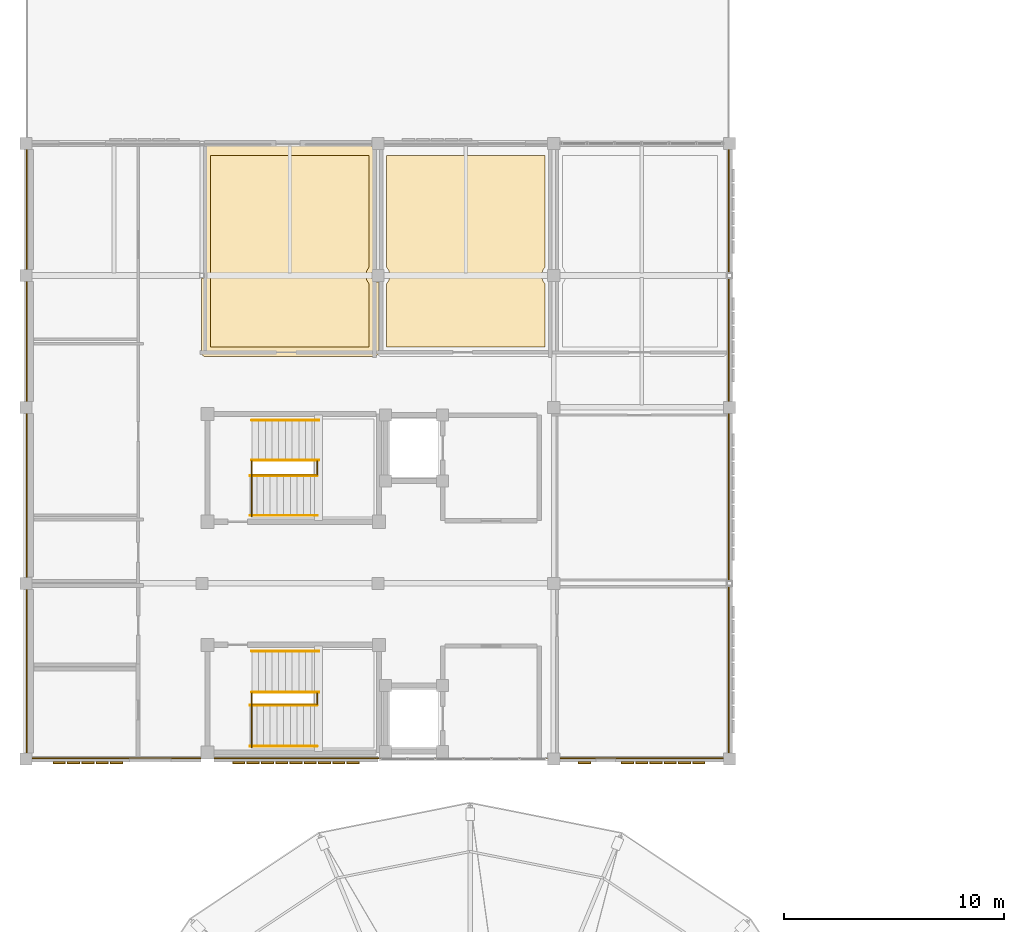
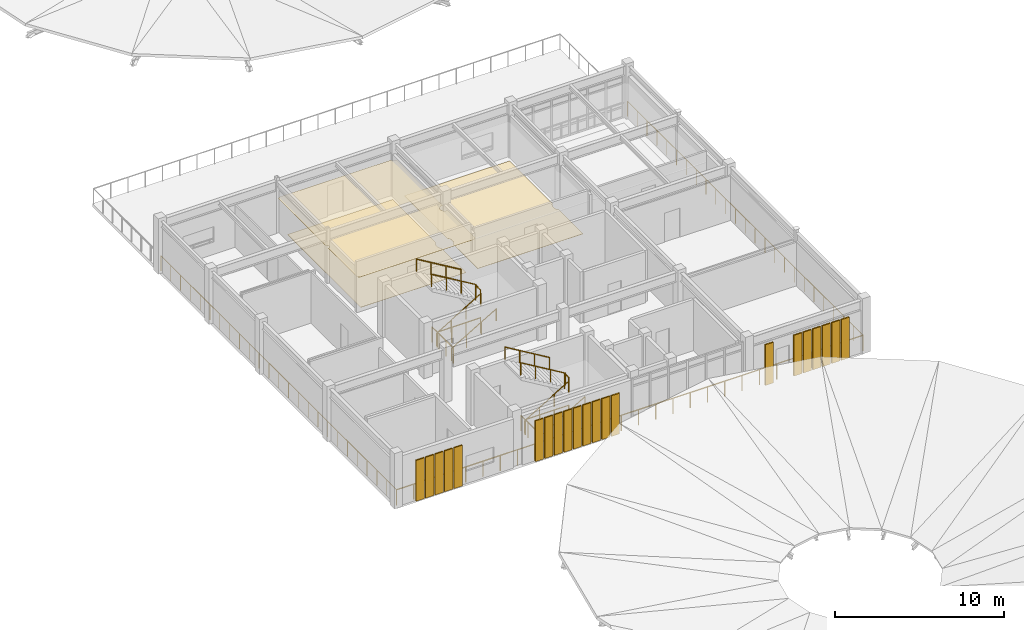
# One storey, part 29 of 31: 21 shading devices, 17 railings, 3 coverings.
"""IFC4 building model written with IfcOpenShell, lengths in metres."""

from ifc_helpers import new_model, si_unit, direction, frame, origin, origin_2d, place, context, subcontext, project, spatial, polyline, rectangle, circle, outline, extrude, material, layer, layer_set, type_object, element, save


model = new_model("IFC4")

# Units and contexts
model_context = context("Model", 3, precision=1e-05, world=origin(), true_north=direction((0.0, 1.0)))
body_context = subcontext(model_context, "Body", "Model", "MODEL_VIEW")
ifc_project = project(units=[si_unit("LENGTHUNIT", "METRE"), si_unit("AREAUNIT", "SQUARE_METRE"), si_unit("VOLUMEUNIT", "CUBIC_METRE"), si_unit("PLANEANGLEUNIT", "RADIAN"), si_unit("MASSUNIT", "GRAM", prefix="KILO")], contexts=[model_context])

# Site, building, storey
site_placement = place(None, origin())
site = spatial("IfcSite", under=ifc_project, at=site_placement, CompositionType="ELEMENT")
building_placement = place(site_placement, origin())
building = spatial("IfcBuilding", under=site, at=building_placement, Name="Celadon Cloister-Ring School", CompositionType="ELEMENT")
storey_placement = place(building_placement, frame((0.0, 0.0, 16.5)))
storey = spatial("IfcBuildingStorey", under=building, at=storey_placement, Name="L04", CompositionType="ELEMENT", Elevation=16.5)

# Coverings
ifc_material_1 = material(Name="Mineral-fibre acoustic ceiling board")
ifc_layer_1 = layer(ifc_material_1, 0.02001953125)
ifc_layer_set_1 = layer_set([ifc_layer_1], Name="Mineral-fibre acoustic ceiling board")
covering_type_1 = type_object("IfcCoveringType", Name="CV-CL1", PredefinedType="CEILING", material=ifc_layer_set_1)
covering_1_placement = place(storey_placement, frame((0.0, 0.0, 2.550048828125)))
element("IfcCovering", 1, at=covering_1_placement, inside=storey, type_object=covering_type_1, Name="Acoustic Ceiling 0026", PredefinedType="CEILING", context=body_context, shape_type="SweptSolid", body=[
    extrude(outline(polyline([(16.030029296875, 67.70703125), (16.030029296875, 62.29296875), (15.970947265625, 62.2939453125), (15.9140625, 62.281982421875), (15.861083984375, 62.260009765625), (15.81298828125, 62.22802734375), (15.77197265625, 62.18701171875), (15.739990234375, 62.138916015625), (15.7109375, 62.05810546875), (15.705078125, 62.0), (15.7109375, 61.94189453125), (15.739990234375, 61.861083984375), (15.77197265625, 61.81298828125), (15.81298828125, 61.77197265625), (15.861083984375, 61.739990234375), (15.9140625, 61.718017578125), (15.970947265625, 61.7060546875), (16.030029296875, 61.70703125), (16.030029296875, 58.5), (16.01611328125, 58.430908203125), (15.989013671875, 58.385986328125), (15.93505859375, 58.341064453125), (15.885009765625, 58.322998046875), (15.85009765625, 58.320068359375), (8.14990234375, 58.320068359375), (8.097900390625, 58.327880859375), (8.035888671875, 58.361083984375), (8.010986328125, 58.385986328125), (7.98388671875, 58.430908203125), (7.969970703125, 58.5), (7.969970703125, 61.8740234375), (8.02490234375, 61.8720703125), (8.08203125, 61.89990234375), (8.1201171875, 61.949951171875), (8.1298828125, 62.0), (8.114990234375, 62.06103515625), (8.08203125, 62.10009765625), (8.02490234375, 62.1279296875), (7.969970703125, 62.1259765625), (7.969970703125, 67.699951171875), (7.97802734375, 67.751953125), (8.010986328125, 67.81396484375), (8.06494140625, 67.85888671875), (8.097900390625, 67.8720703125), (8.14990234375, 67.8798828125), (15.73095703125, 67.8798828125), (15.77197265625, 67.81298828125), (15.8359375, 67.7548828125), (15.9140625, 67.718017578125), (15.970947265625, 67.7060546875), (16.030029296875, 67.70703125)])), origin(), (0.0, 0.0, 1.0), 0.02001953125),
])
ifc_material_2 = material(Name="Polished cement-marble terrazzo tile", Category="masonry")
ifc_layer_2 = layer(ifc_material_2, 0.01806640625)
ifc_layer_set_2 = layer_set([ifc_layer_2], Name="Polished cement-marble terrazzo tile")
covering_type_2 = type_object("IfcCoveringType", Name="CV-FL1", PredefinedType="FLOORING", material=ifc_layer_set_2)
covering_2_placement = place(storey_placement, origin())
element("IfcCovering", 2, at=covering_2_placement, inside=storey, type_object=covering_type_2, Name="Terrazzo Flooring 0025", PredefinedType="FLOORING", context=body_context, shape_type="SweptSolid", body=[
    extrude(outline(polyline([(15.60009765625, 61.6298828125), (15.60009765625, 58.75), (8.39990234375, 58.75), (8.39990234375, 67.449951171875), (15.60009765625, 67.449951171875), (15.60009765625, 62.3701171875), (15.5869140625, 62.35498046875), (15.571044921875, 62.3359375), (15.553955078125, 62.31298828125), (15.5400390625, 62.2919921875), (15.52490234375, 62.26806640625), (15.513916015625, 62.24609375), (15.5009765625, 62.219970703125), (15.491943359375, 62.197021484375), (15.48193359375, 62.169921875), (15.47509765625, 62.14599609375), (15.468017578125, 62.117919921875), (15.462890625, 62.093994140625), (15.458984375, 62.06591796875), (15.45703125, 62.041015625), (15.455078125, 62.011962890625), (15.455078125, 61.988037109375), (15.45703125, 61.958984375), (15.458984375, 61.93408203125), (15.462890625, 61.906005859375), (15.468017578125, 61.882080078125), (15.47509765625, 61.85400390625), (15.48193359375, 61.830078125), (15.491943359375, 61.802978515625), (15.5009765625, 61.780029296875), (15.513916015625, 61.75390625), (15.52490234375, 61.73193359375), (15.5400390625, 61.7080078125), (15.553955078125, 61.68701171875), (15.571044921875, 61.6640625), (15.5869140625, 61.64501953125), (15.60009765625, 61.6298828125)])), origin(), (0.0, 0.0, 1.0), 0.01806640625),
])
covering_3_placement = place(storey_placement, origin())
element("IfcCovering", 3, at=covering_3_placement, inside=storey, type_object=covering_type_2, Name="Terrazzo Flooring 0027", PredefinedType="FLOORING", context=body_context, shape_type="SweptSolid", body=[
    extrude(outline(polyline([(16.39990234375, 61.6298828125), (16.4130859375, 61.64501953125), (16.428955078125, 61.6640625), (16.446044921875, 61.68701171875), (16.4599609375, 61.7080078125), (16.47509765625, 61.73193359375), (16.486083984375, 61.75390625), (16.4990234375, 61.780029296875), (16.508056640625, 61.802978515625), (16.51806640625, 61.830078125), (16.52490234375, 61.85400390625), (16.531982421875, 61.882080078125), (16.537109375, 61.906005859375), (16.541015625, 61.93408203125), (16.54296875, 61.958984375), (16.544921875, 61.988037109375), (16.544921875, 62.011962890625), (16.54296875, 62.041015625), (16.541015625, 62.06591796875), (16.537109375, 62.093994140625), (16.531982421875, 62.117919921875), (16.52490234375, 62.14599609375), (16.51806640625, 62.169921875), (16.508056640625, 62.197021484375), (16.4990234375, 62.219970703125), (16.486083984375, 62.24609375), (16.47509765625, 62.26806640625), (16.4599609375, 62.2919921875), (16.446044921875, 62.31298828125), (16.428955078125, 62.3359375), (16.4130859375, 62.35498046875), (16.39990234375, 62.3701171875), (16.39990234375, 67.449951171875), (23.60009765625, 67.449951171875), (23.60009765625, 62.3701171875), (23.5869140625, 62.35498046875), (23.571044921875, 62.3359375), (23.553955078125, 62.31298828125), (23.5400390625, 62.2919921875), (23.52490234375, 62.26806640625), (23.513916015625, 62.24609375), (23.5009765625, 62.219970703125), (23.491943359375, 62.197021484375), (23.48193359375, 62.169921875), (23.47509765625, 62.14599609375), (23.468017578125, 62.117919921875), (23.462890625, 62.093994140625), (23.458984375, 62.06591796875), (23.45703125, 62.041015625), (23.455078125, 62.011962890625), (23.455078125, 61.988037109375), (23.45703125, 61.958984375), (23.458984375, 61.93408203125), (23.462890625, 61.906005859375), (23.468017578125, 61.882080078125), (23.47509765625, 61.85400390625), (23.48193359375, 61.830078125), (23.491943359375, 61.802978515625), (23.5009765625, 61.780029296875), (23.513916015625, 61.75390625), (23.52490234375, 61.73193359375), (23.5400390625, 61.7080078125), (23.553955078125, 61.68701171875), (23.571044921875, 61.6640625), (23.5869140625, 61.64501953125), (23.60009765625, 61.6298828125), (23.60009765625, 58.75), (16.39990234375, 58.75), (16.39990234375, 61.6298828125)])), origin(), (0.0, 0.0, 1.0), 0.01806640625),
])

# Railings
ifc_material_3 = material(Name="Structural steel S355JR", Category="steel")
railing_type_1 = type_object("IfcRailingType", Name="RL-BL1", PredefinedType="BALUSTRADE", material=ifc_material_3)
railing_1_placement = place(storey_placement, frame((0.0400390625, 40.0400390625, 0.0)))
element("IfcRailing", 4, at=railing_1_placement, inside=storey, type_object=railing_type_1, Name="Terrace Balustrade 0456", PredefinedType="BALUSTRADE", context=body_context, shape_type="SweptSolid", body=[
    extrude(circle(Radius=0.02392578125, at=origin_2d()), frame((0.0, 0.0, 1.09619140625), z_axis=(1.0, 0.0, 0.0), x_axis=(0.0, 1.0, 0.0)), (0.0, 0.0, 1.0), 31.919921875),
    extrude(circle(Radius=0.02099609375, at=origin_2d()), origin(), (0.0, 0.0, 1.0), 1.072021484375),
    extrude(circle(Radius=0.02099609375, at=origin_2d()), frame((1.18212890625, 0.0, 0.0)), (0.0, 0.0, 1.0), 1.072021484375),
    extrude(circle(Radius=0.02099609375, at=origin_2d()), frame((2.364501953125, 0.0, 0.0)), (0.0, 0.0, 1.0), 1.072021484375),
    extrude(circle(Radius=0.02099609375, at=origin_2d()), frame((3.546630859375, 0.0, 0.0)), (0.0, 0.0, 1.0), 1.072021484375),
    extrude(circle(Radius=0.02099609375, at=origin_2d()), frame((4.728759765625, 0.0, 0.0)), (0.0, 0.0, 1.0), 1.072021484375),
    extrude(circle(Radius=0.02099609375, at=origin_2d()), frame((5.9111328125, 0.0, 0.0)), (0.0, 0.0, 1.0), 1.072021484375),
    extrude(circle(Radius=0.02099609375, at=origin_2d()), frame((7.09326171875, 0.0, 0.0)), (0.0, 0.0, 1.0), 1.072021484375),
    extrude(circle(Radius=0.02099609375, at=origin_2d()), frame((8.275634765625, 0.0, 0.0)), (0.0, 0.0, 1.0), 1.072021484375),
    extrude(circle(Radius=0.02099609375, at=origin_2d()), frame((9.457763671875, 0.0, 0.0)), (0.0, 0.0, 1.0), 1.072021484375),
    extrude(circle(Radius=0.02099609375, at=origin_2d()), frame((10.639892578125, 0.0, 0.0)), (0.0, 0.0, 1.0), 1.072021484375),
    extrude(circle(Radius=0.02099609375, at=origin_2d()), frame((11.822265625, 0.0, 0.0)), (0.0, 0.0, 1.0), 1.072021484375),
    extrude(circle(Radius=0.02099609375, at=origin_2d()), frame((13.00439453125, 0.0, 0.0)), (0.0, 0.0, 1.0), 1.072021484375),
    extrude(circle(Radius=0.02099609375, at=origin_2d()), frame((14.1865234375, 0.0, 0.0)), (0.0, 0.0, 1.0), 1.072021484375),
    extrude(circle(Radius=0.02099609375, at=origin_2d()), frame((15.368896484375, 0.0, 0.0)), (0.0, 0.0, 1.0), 1.072021484375),
    extrude(circle(Radius=0.02099609375, at=origin_2d()), frame((16.551025390625, 0.0, 0.0)), (0.0, 0.0, 1.0), 1.072021484375),
    extrude(circle(Radius=0.02099609375, at=origin_2d()), frame((17.7333984375, 0.0, 0.0)), (0.0, 0.0, 1.0), 1.072021484375),
    extrude(circle(Radius=0.02099609375, at=origin_2d()), frame((18.91552734375, 0.0, 0.0)), (0.0, 0.0, 1.0), 1.072021484375),
    extrude(circle(Radius=0.02099609375, at=origin_2d()), frame((20.09765625, 0.0, 0.0)), (0.0, 0.0, 1.0), 1.072021484375),
    extrude(circle(Radius=0.02099609375, at=origin_2d()), frame((21.280029296875, 0.0, 0.0)), (0.0, 0.0, 1.0), 1.072021484375),
    extrude(circle(Radius=0.02099609375, at=origin_2d()), frame((22.462158203125, 0.0, 0.0)), (0.0, 0.0, 1.0), 1.072021484375),
    extrude(circle(Radius=0.02099609375, at=origin_2d()), frame((23.644287109375, 0.0, 0.0)), (0.0, 0.0, 1.0), 1.072021484375),
    extrude(circle(Radius=0.02099609375, at=origin_2d()), frame((24.82666015625, 0.0, 0.0)), (0.0, 0.0, 1.0), 1.072021484375),
    extrude(circle(Radius=0.02099609375, at=origin_2d()), frame((26.0087890625, 0.0, 0.0)), (0.0, 0.0, 1.0), 1.072021484375),
    extrude(circle(Radius=0.02099609375, at=origin_2d()), frame((27.191162109375, 0.0, 0.0)), (0.0, 0.0, 1.0), 1.072021484375),
    extrude(circle(Radius=0.02099609375, at=origin_2d()), frame((28.373291015625, 0.0, 0.0)), (0.0, 0.0, 1.0), 1.072021484375),
    extrude(circle(Radius=0.02099609375, at=origin_2d()), frame((29.555419921875, 0.0, 0.0)), (0.0, 0.0, 1.0), 1.072021484375),
    extrude(circle(Radius=0.02099609375, at=origin_2d()), frame((30.73779296875, 0.0, 0.0)), (0.0, 0.0, 1.0), 1.072021484375),
    extrude(circle(Radius=0.02099609375, at=origin_2d()), frame((31.919921875, 0.0, 0.0)), (0.0, 0.0, 1.0), 1.072021484375),
])
railing_2_placement = place(storey_placement, frame((31.9599609375, 40.0400390625, 0.0)))
element("IfcRailing", 5, at=railing_2_placement, inside=storey, type_object=railing_type_1, Name="Terrace Balustrade 0457", PredefinedType="BALUSTRADE", context=body_context, shape_type="SweptSolid", body=[
    extrude(circle(Radius=0.02392578125, at=origin_2d()), frame((0.0, 0.0, 1.09619140625), z_axis=(0.0, 1.0, 0.0), x_axis=(-1.0, 0.0, 0.0)), (0.0, 0.0, 1.0), 27.919921875),
    extrude(circle(Radius=0.02099609375, at=origin_2d()), origin(), (0.0, 0.0, 1.0), 1.072021484375),
    extrude(circle(Radius=0.02099609375, at=origin_2d()), frame((0.0, 1.163330078125, 0.0)), (0.0, 0.0, 1.0), 1.072021484375),
    extrude(circle(Radius=0.02099609375, at=origin_2d()), frame((0.0, 2.32666015625, 0.0)), (0.0, 0.0, 1.0), 1.072021484375),
    extrude(circle(Radius=0.02099609375, at=origin_2d()), frame((0.0, 3.489990234375, 0.0)), (0.0, 0.0, 1.0), 1.072021484375),
    extrude(circle(Radius=0.02099609375, at=origin_2d()), frame((0.0, 4.6533203125, 0.0)), (0.0, 0.0, 1.0), 1.072021484375),
    extrude(circle(Radius=0.02099609375, at=origin_2d()), frame((0.0, 5.816650390625, 0.0)), (0.0, 0.0, 1.0), 1.072021484375),
    extrude(circle(Radius=0.02099609375, at=origin_2d()), frame((0.0, 6.97998046875, 0.0)), (0.0, 0.0, 1.0), 1.072021484375),
    extrude(circle(Radius=0.02099609375, at=origin_2d()), frame((0.0, 8.143310546875, 0.0)), (0.0, 0.0, 1.0), 1.072021484375),
    extrude(circle(Radius=0.02099609375, at=origin_2d()), frame((0.0, 9.306640625, 0.0)), (0.0, 0.0, 1.0), 1.072021484375),
    extrude(circle(Radius=0.02099609375, at=origin_2d()), frame((0.0, 10.469970703125, 0.0)), (0.0, 0.0, 1.0), 1.072021484375),
    extrude(circle(Radius=0.02099609375, at=origin_2d()), frame((0.0, 11.63330078125, 0.0)), (0.0, 0.0, 1.0), 1.072021484375),
    extrude(circle(Radius=0.02099609375, at=origin_2d()), frame((0.0, 12.796630859375, 0.0)), (0.0, 0.0, 1.0), 1.072021484375),
    extrude(circle(Radius=0.02099609375, at=origin_2d()), frame((0.0, 13.9599609375, 0.0)), (0.0, 0.0, 1.0), 1.072021484375),
    extrude(circle(Radius=0.02099609375, at=origin_2d()), frame((0.0, 15.123291015625, 0.0)), (0.0, 0.0, 1.0), 1.072021484375),
    extrude(circle(Radius=0.02099609375, at=origin_2d()), frame((0.0, 16.28662109375, 0.0)), (0.0, 0.0, 1.0), 1.072021484375),
    extrude(circle(Radius=0.02099609375, at=origin_2d()), frame((0.0, 17.449951171875, 0.0)), (0.0, 0.0, 1.0), 1.072021484375),
    extrude(circle(Radius=0.02099609375, at=origin_2d()), frame((0.0, 18.61328125, 0.0)), (0.0, 0.0, 1.0), 1.072021484375),
    extrude(circle(Radius=0.02099609375, at=origin_2d()), frame((0.0, 19.776611328125, 0.0)), (0.0, 0.0, 1.0), 1.072021484375),
    extrude(circle(Radius=0.02099609375, at=origin_2d()), frame((0.0, 20.93994140625, 0.0)), (0.0, 0.0, 1.0), 1.072021484375),
    extrude(circle(Radius=0.02099609375, at=origin_2d()), frame((0.0, 22.103271484375, 0.0)), (0.0, 0.0, 1.0), 1.072021484375),
    extrude(circle(Radius=0.02099609375, at=origin_2d()), frame((0.0, 23.2666015625, 0.0)), (0.0, 0.0, 1.0), 1.072021484375),
    extrude(circle(Radius=0.02099609375, at=origin_2d()), frame((0.0, 24.429931640625, 0.0)), (0.0, 0.0, 1.0), 1.072021484375),
    extrude(circle(Radius=0.02099609375, at=origin_2d()), frame((0.0, 25.59326171875, 0.0)), (0.0, 0.0, 1.0), 1.072021484375),
    extrude(circle(Radius=0.02099609375, at=origin_2d()), frame((0.0, 26.756591796875, 0.0)), (0.0, 0.0, 1.0), 1.072021484375),
    extrude(circle(Radius=0.02099609375, at=origin_2d()), frame((0.0, 27.919921875, 0.0)), (0.0, 0.0, 1.0), 1.072021484375),
])
railing_3_placement = place(storey_placement, frame((0.0400390625, 67.9599609375, 0.0)))
element("IfcRailing", 6, at=railing_3_placement, inside=storey, type_object=railing_type_1, Name="Terrace Balustrade 0460", PredefinedType="BALUSTRADE", context=body_context, shape_type="SweptSolid", body=[
    extrude(circle(Radius=0.02392578125, at=origin_2d()), frame((0.0, 0.0, 1.09619140625), z_axis=(0.0, -1.0, 0.0), x_axis=(1.0, 0.0, 0.0)), (0.0, 0.0, 1.0), 27.919921875),
    extrude(circle(Radius=0.02099609375, at=origin_2d()), origin(), (0.0, 0.0, 1.0), 1.072021484375),
    extrude(circle(Radius=0.02099609375, at=origin_2d()), frame((0.0, -1.163330078125, 0.0)), (0.0, 0.0, 1.0), 1.072021484375),
    extrude(circle(Radius=0.02099609375, at=origin_2d()), frame((0.0, -2.32666015625, 0.0)), (0.0, 0.0, 1.0), 1.072021484375),
    extrude(circle(Radius=0.02099609375, at=origin_2d()), frame((0.0, -3.489990234375, 0.0)), (0.0, 0.0, 1.0), 1.072021484375),
    extrude(circle(Radius=0.02099609375, at=origin_2d()), frame((0.0, -4.6533203125, 0.0)), (0.0, 0.0, 1.0), 1.072021484375),
    extrude(circle(Radius=0.02099609375, at=origin_2d()), frame((0.0, -5.816650390625, 0.0)), (0.0, 0.0, 1.0), 1.072021484375),
    extrude(circle(Radius=0.02099609375, at=origin_2d()), frame((0.0, -6.97998046875, 0.0)), (0.0, 0.0, 1.0), 1.072021484375),
    extrude(circle(Radius=0.02099609375, at=origin_2d()), frame((0.0, -8.143310546875, 0.0)), (0.0, 0.0, 1.0), 1.072021484375),
    extrude(circle(Radius=0.02099609375, at=origin_2d()), frame((0.0, -9.306640625, 0.0)), (0.0, 0.0, 1.0), 1.072021484375),
    extrude(circle(Radius=0.02099609375, at=origin_2d()), frame((0.0, -10.469970703125, 0.0)), (0.0, 0.0, 1.0), 1.072021484375),
    extrude(circle(Radius=0.02099609375, at=origin_2d()), frame((0.0, -11.63330078125, 0.0)), (0.0, 0.0, 1.0), 1.072021484375),
    extrude(circle(Radius=0.02099609375, at=origin_2d()), frame((0.0, -12.796630859375, 0.0)), (0.0, 0.0, 1.0), 1.072021484375),
    extrude(circle(Radius=0.02099609375, at=origin_2d()), frame((0.0, -13.9599609375, 0.0)), (0.0, 0.0, 1.0), 1.072021484375),
    extrude(circle(Radius=0.02099609375, at=origin_2d()), frame((0.0, -15.123291015625, 0.0)), (0.0, 0.0, 1.0), 1.072021484375),
    extrude(circle(Radius=0.02099609375, at=origin_2d()), frame((0.0, -16.28662109375, 0.0)), (0.0, 0.0, 1.0), 1.072021484375),
    extrude(circle(Radius=0.02099609375, at=origin_2d()), frame((0.0, -17.449951171875, 0.0)), (0.0, 0.0, 1.0), 1.072021484375),
    extrude(circle(Radius=0.02099609375, at=origin_2d()), frame((0.0, -18.61328125, 0.0)), (0.0, 0.0, 1.0), 1.072021484375),
    extrude(circle(Radius=0.02099609375, at=origin_2d()), frame((0.0, -19.776611328125, 0.0)), (0.0, 0.0, 1.0), 1.072021484375),
    extrude(circle(Radius=0.02099609375, at=origin_2d()), frame((0.0, -20.93994140625, 0.0)), (0.0, 0.0, 1.0), 1.072021484375),
    extrude(circle(Radius=0.02099609375, at=origin_2d()), frame((0.0, -22.103271484375, 0.0)), (0.0, 0.0, 1.0), 1.072021484375),
    extrude(circle(Radius=0.02099609375, at=origin_2d()), frame((0.0, -23.2666015625, 0.0)), (0.0, 0.0, 1.0), 1.072021484375),
    extrude(circle(Radius=0.02099609375, at=origin_2d()), frame((0.0, -24.429931640625, 0.0)), (0.0, 0.0, 1.0), 1.072021484375),
    extrude(circle(Radius=0.02099609375, at=origin_2d()), frame((0.0, -25.59326171875, 0.0)), (0.0, 0.0, 1.0), 1.072021484375),
    extrude(circle(Radius=0.02099609375, at=origin_2d()), frame((0.0, -26.756591796875, 0.0)), (0.0, 0.0, 1.0), 1.072021484375),
    extrude(circle(Radius=0.02099609375, at=origin_2d()), frame((0.0, -27.919921875, 0.0)), (0.0, 0.0, 1.0), 1.072021484375),
])
ifc_material_4 = material(Name="Structural steel S355JR", Category="steel")
railing_type_2 = type_object("IfcRailingType", Name="RL-BL2", PredefinedType="BALUSTRADE", material=ifc_material_4)
railing_4_placement = place(storey_placement, frame((13.239990234375, 42.5, 2.0)))
element("IfcRailing", 7, at=railing_4_placement, inside=storey, type_object=railing_type_2, Name="Interior Guard 0031", PredefinedType="BALUSTRADE", context=body_context, shape_type="SweptSolid", body=[
    extrude(circle(Radius=0.02392578125, at=origin_2d()), frame((0.0, 0.0, 1.09619140625), z_axis=(0.0, 1.0, 0.0), x_axis=(-1.0, 0.0, 0.0)), (0.0, 0.0, 1.0), 0.5),
    extrude(circle(Radius=0.02099609375, at=origin_2d()), origin(), (0.0, 0.0, 1.0), 1.072021484375),
    extrude(circle(Radius=0.02099609375, at=origin_2d()), frame((0.0, 0.5, 0.0)), (0.0, 0.0, 1.0), 1.072021484375),
])
railing_5_placement = place(storey_placement, frame((10.27001953125, 40.5400390625, 0.0)))
element("IfcRailing", 8, at=railing_5_placement, inside=storey, type_object=railing_type_2, Name="Interior Guard 0032", PredefinedType="BALUSTRADE", context=body_context, shape_type="SweptSolid", body=[
    extrude(circle(Radius=0.02392578125, at=origin_2d()), frame((0.0, 0.0, 1.09619140625), z_axis=(0.0, 1.0, 0.0), x_axis=(-1.0, 0.0, 0.0)), (0.0, 0.0, 1.0), 2.4599609375),
    extrude(circle(Radius=0.02099609375, at=origin_2d()), origin(), (0.0, 0.0, 1.0), 1.072021484375),
    extrude(circle(Radius=0.02099609375, at=origin_2d()), frame((0.0, 0.820068359375, 0.0)), (0.0, 0.0, 1.0), 1.072021484375),
    extrude(circle(Radius=0.02099609375, at=origin_2d()), frame((0.0, 1.639892578125, 0.0)), (0.0, 0.0, 1.0), 1.072021484375),
    extrude(circle(Radius=0.02099609375, at=origin_2d()), frame((0.0, 2.4599609375, 0.0)), (0.0, 0.0, 1.0), 1.072021484375),
])
railing_6_placement = place(storey_placement, frame((10.27001953125, 42.5, 0.0)))
element("IfcRailing", 9, at=railing_6_placement, inside=storey, type_object=railing_type_2, Name="Interior Guard 0033", PredefinedType="BALUSTRADE", context=body_context, shape_type="SweptSolid", body=[
    extrude(circle(Radius=0.02392578125, at=origin_2d()), frame((0.0, 0.0, 1.09619140625), z_axis=(1.0, 0.0, 0.0), x_axis=(0.0, 1.0, 0.0)), (0.0, 0.0, 1.0), 2.969970703125),
    extrude(circle(Radius=0.02099609375, at=origin_2d()), origin(), (0.0, 0.0, 1.0), 1.072021484375),
    extrude(circle(Radius=0.02099609375, at=origin_2d()), frame((0.989990234375, 0.0, 0.0)), (0.0, 0.0, 1.0), 1.072021484375),
    extrude(circle(Radius=0.02099609375, at=origin_2d()), frame((1.97998046875, 0.0, 0.0)), (0.0, 0.0, 1.0), 1.072021484375),
    extrude(circle(Radius=0.02099609375, at=origin_2d()), frame((2.969970703125, 0.0, 0.0)), (0.0, 0.0, 1.0), 1.072021484375),
])
railing_7_placement = place(storey_placement, frame((13.239990234375, 52.93994140625, 2.0)))
element("IfcRailing", 10, at=railing_7_placement, inside=storey, type_object=railing_type_2, Name="Interior Guard 0066", PredefinedType="BALUSTRADE", context=body_context, shape_type="SweptSolid", body=[
    extrude(circle(Radius=0.02392578125, at=origin_2d()), frame((0.0, 0.0, 1.09619140625), z_axis=(0.0, 1.0, 0.0), x_axis=(-1.0, 0.0, 0.0)), (0.0, 0.0, 1.0), 0.6201171875),
    extrude(circle(Radius=0.02099609375, at=origin_2d()), origin(), (0.0, 0.0, 1.0), 1.072021484375),
    extrude(circle(Radius=0.02099609375, at=origin_2d()), frame((0.0, 0.6201171875, 0.0)), (0.0, 0.0, 1.0), 1.072021484375),
])
railing_8_placement = place(storey_placement, frame((10.27001953125, 51.0400390625, 0.0)))
element("IfcRailing", 11, at=railing_8_placement, inside=storey, type_object=railing_type_2, Name="Interior Guard 0067", PredefinedType="BALUSTRADE", context=body_context, shape_type="SweptSolid", body=[
    extrude(circle(Radius=0.02392578125, at=origin_2d()), frame((0.0, 0.0, 1.09619140625), z_axis=(0.0, 1.0, 0.0), x_axis=(-1.0, 0.0, 0.0)), (0.0, 0.0, 1.0), 2.52001953125),
    extrude(circle(Radius=0.02099609375, at=origin_2d()), origin(), (0.0, 0.0, 1.0), 1.072021484375),
    extrude(circle(Radius=0.02099609375, at=origin_2d()), frame((0.0, 0.840087890625, 0.0)), (0.0, 0.0, 1.0), 1.072021484375),
    extrude(circle(Radius=0.02099609375, at=origin_2d()), frame((0.0, 1.679931640625, 0.0)), (0.0, 0.0, 1.0), 1.072021484375),
    extrude(circle(Radius=0.02099609375, at=origin_2d()), frame((0.0, 2.52001953125, 0.0)), (0.0, 0.0, 1.0), 1.072021484375),
])
railing_9_placement = place(storey_placement, frame((10.27001953125, 52.93994140625, 0.0)))
element("IfcRailing", 12, at=railing_9_placement, inside=storey, type_object=railing_type_2, Name="Interior Guard 0068", PredefinedType="BALUSTRADE", context=body_context, shape_type="SweptSolid", body=[
    extrude(circle(Radius=0.02392578125, at=origin_2d()), frame((0.0, 0.0, 1.09619140625), z_axis=(1.0, 0.0, 0.0), x_axis=(0.0, 1.0, 0.0)), (0.0, 0.0, 1.0), 2.969970703125),
    extrude(circle(Radius=0.02099609375, at=origin_2d()), origin(), (0.0, 0.0, 1.0), 1.072021484375),
    extrude(circle(Radius=0.02099609375, at=origin_2d()), frame((0.989990234375, 0.0, 0.0)), (0.0, 0.0, 1.0), 1.072021484375),
    extrude(circle(Radius=0.02099609375, at=origin_2d()), frame((1.97998046875, 0.0, 0.0)), (0.0, 0.0, 1.0), 1.072021484375),
    extrude(circle(Radius=0.02099609375, at=origin_2d()), frame((2.969970703125, 0.0, 0.0)), (0.0, 0.0, 1.0), 1.072021484375),
])
ifc_material_5 = material(Name="Structural steel S355JR", Category="steel")
railing_type_3 = type_object("IfcRailingType", Name="RL-HR1", PredefinedType="HANDRAIL", material=ifc_material_5)
for number, where, name in (
    (13, (10.18994140625, 40.5849609375, 0.181884765625), "Stair Handrail 0027"),
    (14, (10.18994140625, 42.455078125, 0.181884765625), "Stair Handrail 0028"),
):
    element("IfcRailing", number, at=place(storey_placement, frame(where)), inside=storey, type_object=railing_type_3, Name=name, PredefinedType="HANDRAIL", context=body_context, shape_type="SweptSolid", body=[
        extrude(circle(Radius=0.02099609375, at=origin_2d()), frame((0.0, 0.0, 0.87890625), z_axis=(0.858969654429, 0.0, 0.51202649616), x_axis=(0.0, 1.0, 0.0)), (0.0, 0.0, 1.0), 3.55078125),
        extrude(circle(Radius=0.01806640625, at=origin_2d()), origin(), (0.0, 0.0, 1.0), 0.85791015625),
        extrude(circle(Radius=0.01806640625, at=origin_2d()), frame((1.0166015625, 0.0, 0.60595703125)), (0.0, 0.0, 1.0), 0.85791015625),
        extrude(circle(Radius=0.01806640625, at=origin_2d()), frame((2.033447265625, 0.0, 1.212158203125)), (0.0, 0.0, 1.0), 0.85791015625),
        extrude(circle(Radius=0.01806640625, at=origin_2d()), frame((3.050048828125, 0.0, 1.818115234375)), (0.0, 0.0, 1.0), 0.85791015625),
    ])
for number, where, name in (
    (15, (13.320068359375, 44.9150390625, 2.181884765625), "Stair Handrail 0029"),
    (16, (13.320068359375, 43.044921875, 2.181884765625), "Stair Handrail 0030"),
):
    element("IfcRailing", number, at=place(storey_placement, frame(where)), inside=storey, type_object=railing_type_3, Name=name, PredefinedType="HANDRAIL", context=body_context, shape_type="SweptSolid", body=[
        extrude(circle(Radius=0.02099609375, at=origin_2d()), frame((0.0, 0.0, 0.87890625), z_axis=(-0.858969654429, 0.0, 0.51202649616), x_axis=(0.0, -1.0, 0.0)), (0.0, 0.0, 1.0), 3.55078125),
        extrude(circle(Radius=0.01806640625, at=origin_2d()), origin(), (0.0, 0.0, 1.0), 0.85791015625),
        extrude(circle(Radius=0.01806640625, at=origin_2d()), frame((-1.0166015625, 0.0, 0.60595703125)), (0.0, 0.0, 1.0), 0.85791015625),
        extrude(circle(Radius=0.01806640625, at=origin_2d()), frame((-2.033447265625, 0.0, 1.212158203125)), (0.0, 0.0, 1.0), 0.85791015625),
        extrude(circle(Radius=0.01806640625, at=origin_2d()), frame((-3.050048828125, 0.0, 1.818115234375)), (0.0, 0.0, 1.0), 0.85791015625),
    ])
for number, where, name in (
    (17, (10.18994140625, 51.0849609375, 0.181884765625), "Stair Handrail 0062"),
    (18, (10.18994140625, 52.89501953125, 0.181884765625), "Stair Handrail 0063"),
):
    element("IfcRailing", number, at=place(storey_placement, frame(where)), inside=storey, type_object=railing_type_3, Name=name, PredefinedType="HANDRAIL", context=body_context, shape_type="SweptSolid", body=[
        extrude(circle(Radius=0.02099609375, at=origin_2d()), frame((0.0, 0.0, 0.87890625), z_axis=(0.858969654429, 0.0, 0.51202649616), x_axis=(0.0, 1.0, 0.0)), (0.0, 0.0, 1.0), 3.55078125),
        extrude(circle(Radius=0.01806640625, at=origin_2d()), origin(), (0.0, 0.0, 1.0), 0.85791015625),
        extrude(circle(Radius=0.01806640625, at=origin_2d()), frame((1.0166015625, 0.0, 0.60595703125)), (0.0, 0.0, 1.0), 0.85791015625),
        extrude(circle(Radius=0.01806640625, at=origin_2d()), frame((2.033447265625, 0.0, 1.212158203125)), (0.0, 0.0, 1.0), 0.85791015625),
        extrude(circle(Radius=0.01806640625, at=origin_2d()), frame((3.050048828125, 0.0, 1.818115234375)), (0.0, 0.0, 1.0), 0.85791015625),
    ])
for number, where, name in (
    (19, (13.320068359375, 55.4150390625, 2.181884765625), "Stair Handrail 0064"),
    (20, (13.320068359375, 53.60498046875, 2.181884765625), "Stair Handrail 0065"),
):
    element("IfcRailing", number, at=place(storey_placement, frame(where)), inside=storey, type_object=railing_type_3, Name=name, PredefinedType="HANDRAIL", context=body_context, shape_type="SweptSolid", body=[
        extrude(circle(Radius=0.02099609375, at=origin_2d()), frame((0.0, 0.0, 0.87890625), z_axis=(-0.858969654429, 0.0, 0.51202649616), x_axis=(0.0, -1.0, 0.0)), (0.0, 0.0, 1.0), 3.55078125),
        extrude(circle(Radius=0.01806640625, at=origin_2d()), origin(), (0.0, 0.0, 1.0), 0.85791015625),
        extrude(circle(Radius=0.01806640625, at=origin_2d()), frame((-1.0166015625, 0.0, 0.60595703125)), (0.0, 0.0, 1.0), 0.85791015625),
        extrude(circle(Radius=0.01806640625, at=origin_2d()), frame((-2.033447265625, 0.0, 1.212158203125)), (0.0, 0.0, 1.0), 0.85791015625),
        extrude(circle(Radius=0.01806640625, at=origin_2d()), frame((-3.050048828125, 0.0, 1.818115234375)), (0.0, 0.0, 1.0), 0.85791015625),
    ])

# Shading devices
ifc_material_6 = material(Name="Glazed celadon architectural terracotta", Category="masonry")
shading_device_type = type_object("IfcShadingDeviceType", Name="SD-01", PredefinedType="USERDEFINED", material=ifc_material_6)
for number, where, z_axis, x_axis, name in (
    (21, (30.60009765625, 39.827880859375, 0.0), (0.0, 0.0, 1.0), (-1.0, 0.0, 0.0), "Celadon Sunshade Screen 0331"),
    (22, (29.949951171875, 39.827880859375, 0.0), (0.0, 0.0, 1.0), (-1.0, 0.0, 0.0), "Celadon Sunshade Screen 0332"),
    (23, (29.300048828125, 39.827880859375, 0.0), (0.0, 0.0, 1.0), (-1.0, 0.0, 0.0), "Celadon Sunshade Screen 0333"),
    (24, (28.64990234375, 39.827880859375, 0.0), (0.0, 0.0, 1.0), (-1.0, 0.0, 0.0), "Celadon Sunshade Screen 0334"),
    (25, (28.0, 39.827880859375, 0.0), (0.0, 0.0, 1.0), (-1.0, 0.0, 0.0), "Celadon Sunshade Screen 0335"),
    (26, (27.35009765625, 39.827880859375, 0.0), (0.0, 0.0, 1.0), (-1.0, 0.0, 0.0), "Celadon Sunshade Screen 0336"),
    (27, (25.39990234375, 39.827880859375, 0.0), (0.0, 0.0, 1.0), (-1.0, 0.0, 0.0), "Celadon Sunshade Screen 0337"),
    (28, (14.8759765625, 39.827880859375, 0.0), (0.0, 0.0, 1.0), (-1.0, 0.0, 0.0), "Celadon Sunshade Screen 0338"),
    (29, (14.22607421875, 39.827880859375, 0.0), (0.0, 0.0, 1.0), (-1.0, 0.0, 0.0), "Celadon Sunshade Screen 0339"),
    (30, (13.575927734375, 39.827880859375, 0.0), (0.0, 0.0, 1.0), (-1.0, 0.0, 0.0), "Celadon Sunshade Screen 0340"),
    (31, (12.926025390625, 39.827880859375, 0.0), (0.0, 0.0, 1.0), (-1.0, 0.0, 0.0), "Celadon Sunshade Screen 0341"),
    (32, (12.27587890625, 39.827880859375, 0.0), (0.0, 0.0, 1.0), (-1.0, 0.0, 0.0), "Celadon Sunshade Screen 0342"),
    (33, (11.6259765625, 39.827880859375, 0.0), (0.0, 0.0, 1.0), (-1.0, 0.0, 0.0), "Celadon Sunshade Screen 0343"),
    (34, (10.97607421875, 39.827880859375, 0.0), (0.0, 0.0, 1.0), (-1.0, 0.0, 0.0), "Celadon Sunshade Screen 0344"),
    (35, (10.325927734375, 39.827880859375, 0.0), (0.0, 0.0, 1.0), (-1.0, 0.0, 0.0), "Celadon Sunshade Screen 0345"),
    (36, (9.676025390625, 39.827880859375, 0.0), (0.0, 0.0, 1.0), (-1.0, 0.0, 0.0), "Celadon Sunshade Screen 0346"),
    (37, (4.113037109375, 39.827880859375, 0.0), (0.0, 0.0, 1.0), (-1.0, 0.0, 0.0), "Celadon Sunshade Screen 0347"),
    (38, (3.462890625, 39.827880859375, 0.0), (0.0, 0.0, 1.0), (-1.0, 0.0, 0.0), "Celadon Sunshade Screen 0348"),
    (39, (2.81201171875, 39.827880859375, 0.0), (0.0, 0.0, 1.0), (-1.0, 0.0, 0.0), "Celadon Sunshade Screen 0349"),
    (40, (2.1630859375, 39.827880859375, 0.0), (0.0, 0.0, 1.0), (-1.0, 0.0, 0.0), "Celadon Sunshade Screen 0350"),
    (41, (1.512939453125, 39.827880859375, 0.0), (0.0, 0.0, 1.0), (-1.0, 0.0, 0.0), "Celadon Sunshade Screen 0351"),
):
    element("IfcShadingDevice", number, at=place(storey_placement, frame(where, z_axis=z_axis, x_axis=x_axis)), inside=storey, type_object=shading_device_type, Name=name, ObjectType="SUNSHADE", PredefinedType="USERDEFINED", context=body_context, shape_type="SweptSolid", body=[
        extrude(rectangle(XDim=0.56005859375, YDim=0.090087890625, at=origin_2d()), origin(), (0.0, 0.0, 1.0), 2.949951171875),
    ])

save(model, "model.ifc")
